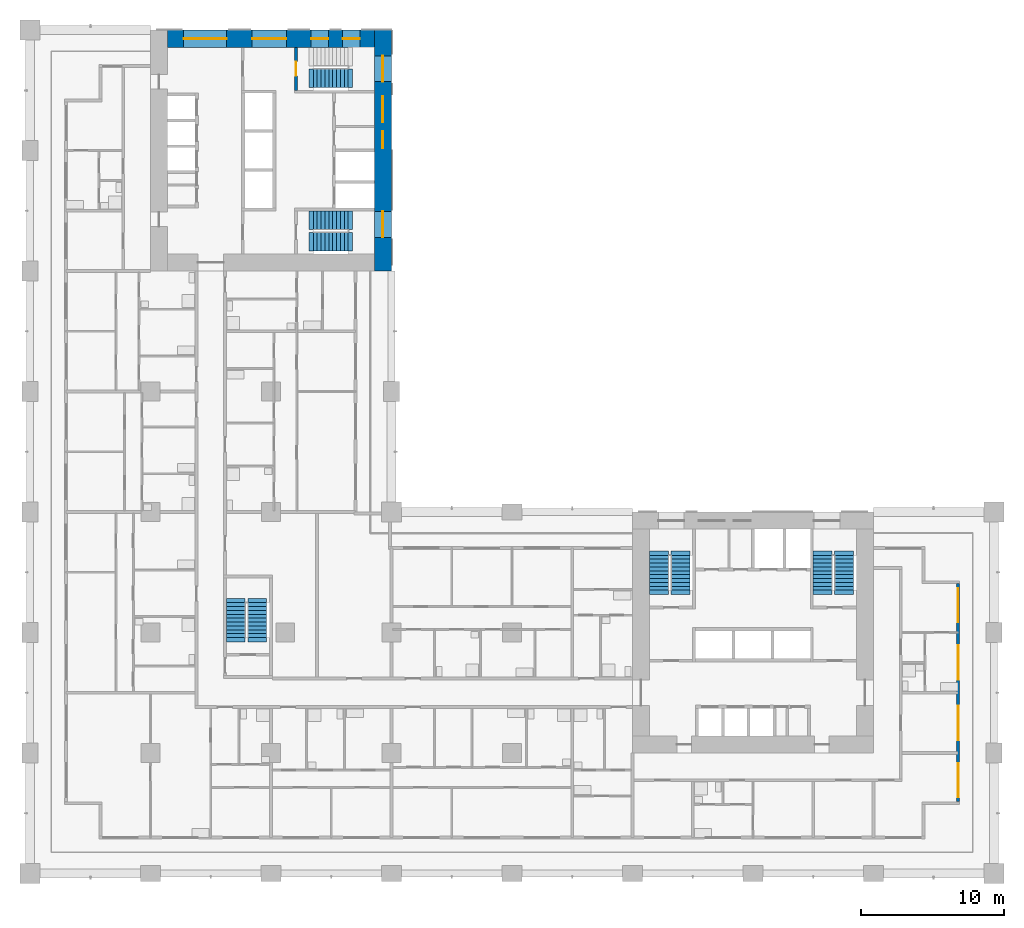
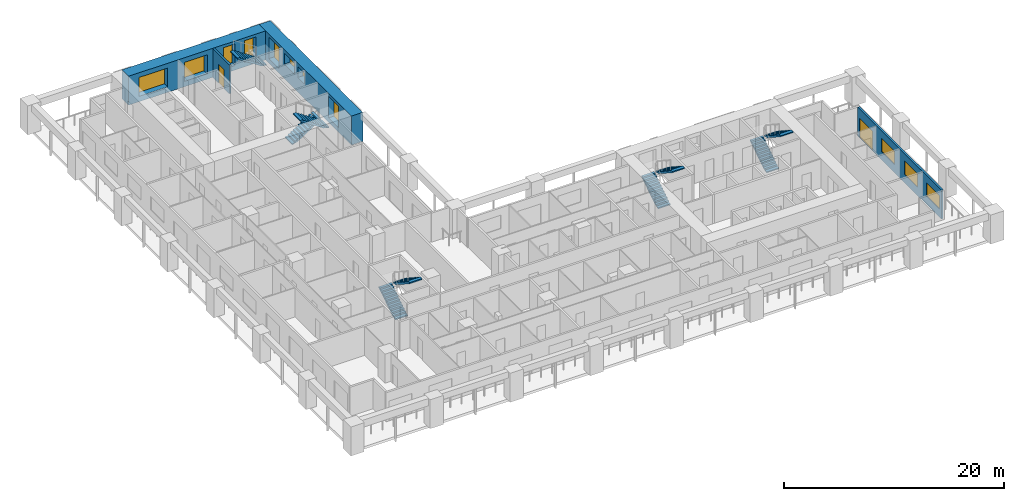
# One storey, part 10 of 19: 11 windows, 9 stair flights, 4 walls, 2 doors, 13 openings, 5 elements without a shape of their own.
"""IFC4 building model written with IfcOpenShell, lengths in metres."""

from ifc_helpers import new_model, si_unit, direction, frame, frame_2d, origin, place, context, subcontext, project, spatial, polyline, rectangle, outline, extrude, material, layer, layer_set, type_object, element, fill, aggregate, save


model = new_model("IFC4")

# Units and contexts
model_context = context("Model", 3, precision=1e-05, world=origin(), true_north=direction((0.0, 1.0)))
body_context = subcontext(model_context, "Body", "Model", "MODEL_VIEW")
ifc_project = project(units=[si_unit("LENGTHUNIT", "METRE"), si_unit("AREAUNIT", "SQUARE_METRE"), si_unit("VOLUMEUNIT", "CUBIC_METRE"), si_unit("PLANEANGLEUNIT", "RADIAN"), si_unit("MASSUNIT", "GRAM", prefix="KILO")], contexts=[model_context])

# Site, building, storey
site_placement = place(None, origin())
site = spatial("IfcSite", under=ifc_project, at=site_placement, CompositionType="ELEMENT")
building_placement = place(site_placement, origin())
building = spatial("IfcBuilding", under=site, at=building_placement, Name="Vermilion Gate Residences", CompositionType="ELEMENT")
storey_placement = place(building_placement, frame((0.0, 0.0, 53.199951171875)))
storey = spatial("IfcBuildingStorey", under=building, at=storey_placement, Name="L12", CompositionType="ELEMENT", Elevation=53.199951171875)

# Wall, openings, door, windows
ifc_material_1 = material(Name="Insulated steel stud wall with terracotta rainscreen", Category="masonry")
ifc_layer_1 = layer(ifc_material_1, 0.199951171875)
ifc_layer_set_1 = layer_set([ifc_layer_1], Name="EXTERNAL WALL 200 TERRACOTTA RAINSCREEN")
wall_type_1 = type_object("IfcWallType", Name="EXTERNAL WALL 200 TERRACOTTA RAINSCREEN", PredefinedType="SOLIDWALL", material=ifc_layer_set_1)
wall_1_placement = place(storey_placement, frame((64.699951171875, 5.0, 0.0), z_axis=(0.0, 0.0, 1.0), x_axis=(0.0, 1.0, 0.0)))
wall_1 = element("IfcWall", 1, at=wall_1_placement, inside=storey, type_object=wall_type_1, Name="External wall", PredefinedType="SOLIDWALL", context=body_context, shape_type="SweptSolid", body=[
    extrude(rectangle(XDim=15.199951171875, YDim=0.199951171875, at=frame_2d((7.60009765625, 0.0))), origin(), (0.0, 0.0, 1.0), 3.219970703125),
])
opening_1_placement = place(wall_1_placement, frame((0.300048828125, 0.0, 0.89990234375)))
opening_1 = element("IfcOpeningElement", 2, at=opening_1_placement, cuts=wall_1, Name="Opening WE12028", PredefinedType="OPENING", context=body_context, shape_type="SweptSolid", body=[
    extrude(rectangle(XDim=2.39990234375, YDim=1.5, at=frame_2d((1.199951171875, 0.75))), frame((0.0, 0.10986328125, 0.0), z_axis=(0.0, -1.0, 0.0), x_axis=(1.0, 0.0, 0.0)), (0.0, 0.0, 1.0), 0.219970703125),
])
opening_2_placement = place(wall_1_placement, frame((4.300048828125, 0.0, 0.89990234375)))
opening_2 = element("IfcOpeningElement", 3, at=opening_2_placement, cuts=wall_1, Name="Opening WE12029", PredefinedType="OPENING", context=body_context, shape_type="SweptSolid", body=[
    extrude(rectangle(XDim=2.39990234375, YDim=1.5, at=frame_2d((1.199951171875, 0.75))), frame((0.0, 0.10986328125, 0.0), z_axis=(0.0, -1.0, 0.0), x_axis=(1.0, 0.0, 0.0)), (0.0, 0.0, 1.0), 0.219970703125),
])
opening_3_placement = place(wall_1_placement, frame((8.5, 0.0, 0.89990234375)))
opening_3 = element("IfcOpeningElement", 4, at=opening_3_placement, cuts=wall_1, Name="Opening WE12030", PredefinedType="OPENING", context=body_context, shape_type="SweptSolid", body=[
    extrude(rectangle(XDim=2.39990234375, YDim=1.5, at=frame_2d((1.199951171875, 0.75))), frame((0.0, 0.10986328125, 0.0), z_axis=(0.0, -1.0, 0.0), x_axis=(1.0, 0.0, 0.0)), (0.0, 0.0, 1.0), 0.219970703125),
])
opening_4_placement = place(wall_1_placement, frame((12.5, 0.0, 0.0)))
opening_4 = element("IfcOpeningElement", 5, at=opening_4_placement, cuts=wall_1, Name="Opening DE12031", PredefinedType="OPENING", context=body_context, shape_type="SweptSolid", body=[
    extrude(rectangle(XDim=2.39990234375, YDim=2.199951171875, at=frame_2d((1.199951171875, 1.10009765625))), frame((0.0, 0.10986328125, 0.0), z_axis=(0.0, -1.0, 0.0), x_axis=(1.0, 0.0, 0.0)), (0.0, 0.0, 1.0), 0.219970703125),
])
ifc_material_2 = material(Name="Aluminium and clear glass", Category="aluminium")
door_type_1 = type_object("IfcDoorType", Name="SLIDING GLAZED DOOR 2400 X 2200", OperationType="DOUBLE_DOOR_SLIDING", PredefinedType="DOOR", material=ifc_material_2)
door_1_placement = place(opening_4_placement, origin())
door_1 = element("IfcDoor", 6, at=door_1_placement, inside=storey, type_object=door_type_1, Name="Loggia sliding door", OperationType="DOUBLE_DOOR_SLIDING", OverallHeight=2.199951171875, OverallWidth=2.39990234375, PredefinedType="DOOR", context=body_context, shape_type="SweptSolid", body=[
    extrude(rectangle(XDim=2.39990234375, YDim=2.199951171875, at=frame_2d((1.199951171875, 1.10009765625))), frame((0.0, 0.02490234375, 0.0), z_axis=(0.0, -1.0, 0.0), x_axis=(1.0, 0.0, 0.0)), (0.0, 0.0, 1.0), 0.050048828125),
])
fill(opening_4, door_1)
ifc_material_3 = material(Name="Aluminium and clear glass", Category="aluminium")
window_type_1 = type_object("IfcWindowType", Name="WINDOW 2400 X 1500", PartitioningType="SINGLE_PANEL", PredefinedType="WINDOW", material=ifc_material_3)
window_1_placement = place(opening_1_placement, origin())
window_1 = element("IfcWindow", 7, at=window_1_placement, inside=storey, type_object=window_type_1, Name="Window", OverallHeight=1.5, OverallWidth=2.39990234375, PartitioningType="SINGLE_PANEL", PredefinedType="WINDOW", context=body_context, shape_type="SweptSolid", body=[
    extrude(rectangle(XDim=2.39990234375, YDim=1.5, at=frame_2d((1.199951171875, 0.75))), frame((0.0, 0.030029296875, 0.0), z_axis=(0.0, -1.0, 0.0), x_axis=(1.0, 0.0, 0.0)), (0.0, 0.0, 1.0), 0.06005859375),
])
fill(opening_1, window_1)
window_2_placement = place(opening_2_placement, origin())
window_2 = element("IfcWindow", 8, at=window_2_placement, inside=storey, type_object=window_type_1, Name="Window", OverallHeight=1.5, OverallWidth=2.39990234375, PartitioningType="SINGLE_PANEL", PredefinedType="WINDOW", context=body_context, shape_type="SweptSolid", body=[
    extrude(rectangle(XDim=2.39990234375, YDim=1.5, at=frame_2d((1.199951171875, 0.75))), frame((0.0, 0.030029296875, 0.0), z_axis=(0.0, -1.0, 0.0), x_axis=(1.0, 0.0, 0.0)), (0.0, 0.0, 1.0), 0.06005859375),
])
fill(opening_2, window_2)
window_3_placement = place(opening_3_placement, origin())
window_3 = element("IfcWindow", 9, at=window_3_placement, inside=storey, type_object=window_type_1, Name="Window", OverallHeight=1.5, OverallWidth=2.39990234375, PartitioningType="SINGLE_PANEL", PredefinedType="WINDOW", context=body_context, shape_type="SweptSolid", body=[
    extrude(rectangle(XDim=2.39990234375, YDim=1.5, at=frame_2d((1.199951171875, 0.75))), frame((0.0, 0.030029296875, 0.0), z_axis=(0.0, -1.0, 0.0), x_axis=(1.0, 0.0, 0.0)), (0.0, 0.0, 1.0), 0.06005859375),
])
fill(opening_3, window_3)

# Wall, opening, door
ifc_material_4 = material(Name="Concrete C60", Category="concrete")
ifc_layer_2 = layer(ifc_material_4, 0.199951171875)
ifc_layer_set_2 = layer_set([ifc_layer_2], Name="RC CORE INTERNAL WALL 200 C60")
wall_type_2 = type_object("IfcWallType", Name="RC CORE INTERNAL WALL 200 C60", PredefinedType="SHEAR", material=ifc_layer_set_2)
wall_2_placement = place(storey_placement, frame((18.550048828125, 57.60009765625, 0.0), z_axis=(0.0, 0.0, 1.0), x_axis=(0.0, -1.0, 0.0)))
wall_2 = element("IfcWall", 10, at=wall_2_placement, inside=storey, type_object=wall_type_2, Name="Core internal wall B12-STW-S", PredefinedType="SHEAR", context=body_context, shape_type="SweptSolid", body=[
    extrude(rectangle(XDim=3.0, YDim=0.199951171875, at=frame_2d((1.5, 0.0))), origin(), (0.0, 0.0, 1.0), 3.219970703125),
])
opening_5_placement = place(wall_2_placement, frame((1.0, 0.0, 0.0)))
opening_5 = element("IfcOpeningElement", 11, at=opening_5_placement, cuts=wall_2, Name="Opening DK12114", PredefinedType="OPENING", context=body_context, shape_type="SweptSolid", body=[
    extrude(rectangle(XDim=1.0, YDim=2.10009765625, at=frame_2d((0.5, 1.050048828125))), frame((0.0, 0.10986328125, 0.0), z_axis=(0.0, -1.0, 0.0), x_axis=(1.0, 0.0, 0.0)), (0.0, 0.0, 1.0), 0.219970703125),
])
ifc_material_5 = material(Name="Steel", Category="steel")
door_type_2 = type_object("IfcDoorType", Name="FIRE DOOR FD60 1000 X 2100", OperationType="SINGLE_SWING_LEFT", PredefinedType="DOOR", material=ifc_material_5)
door_2_placement = place(opening_5_placement, origin())
door_2 = element("IfcDoor", 12, at=door_2_placement, inside=storey, type_object=door_type_2, Name="Stair door B12", OperationType="SINGLE_SWING_LEFT", OverallHeight=2.10009765625, OverallWidth=1.0, PredefinedType="DOOR", context=body_context, shape_type="SweptSolid", body=[
    extrude(rectangle(XDim=1.0, YDim=2.10009765625, at=frame_2d((0.5, 1.050048828125))), frame((0.0, 0.02490234375, 0.0), z_axis=(0.0, -1.0, 0.0), x_axis=(1.0, 0.0, 0.0)), (0.0, 0.0, 1.0), 0.050048828125),
])
fill(opening_5, door_2)

# Wall, openings, windows
ifc_material_6 = material(Name="Concrete C80 red-oxide pigmented", Category="concrete")
ifc_layer_3 = layer(ifc_material_6, 1.199951171875)
ifc_layer_set_3 = layer_set([ifc_layer_3], Name="RC CORE WALL 1200 C80 RED OXIDE")
wall_type_3 = type_object("IfcWallType", Name="RC CORE WALL 1200 C80 RED OXIDE", PredefinedType="SHEAR", material=ifc_layer_set_3)
wall_3_placement = place(storey_placement, frame((24.60009765625, 58.800048828125, 0.0), z_axis=(0.0, 0.0, 1.0), x_axis=(0.0, -1.0, 0.0)))
wall_3 = element("IfcWall", 13, at=wall_3_placement, inside=storey, type_object=wall_type_3, Name="Core wall B12-OUT-B1", PredefinedType="SHEAR", context=body_context, shape_type="SweptSolid", body=[
    extrude(rectangle(XDim=16.800048828125, YDim=1.199951171875, at=frame_2d((8.39990234375, 0.0))), origin(), (0.0, 0.0, 1.0), 3.219970703125),
])
opening_6_placement = place(wall_3_placement, frame((1.800048828125, 0.0, 0.5)))
opening_6 = element("IfcOpeningElement", 14, at=opening_6_placement, cuts=wall_3, Name="Opening WKB1201", PredefinedType="OPENING", context=body_context, shape_type="SweptSolid", body=[
    extrude(rectangle(XDim=1.800048828125, YDim=2.39990234375, at=frame_2d((0.89990234375, 1.199951171875))), frame((0.0, 0.60986328125, 0.0), z_axis=(0.0, -1.0, 0.0), x_axis=(1.0, 0.0, 0.0)), (0.0, 0.0, 1.0), 1.219970703125),
])
opening_7_placement = place(wall_3_placement, frame((4.625, 0.0, 1.60009765625)))
opening_7 = element("IfcOpeningElement", 15, at=opening_7_placement, cuts=wall_3, Name="Opening WKB1202", PredefinedType="OPENING", context=body_context, shape_type="SweptSolid", body=[
    extrude(rectangle(XDim=1.800048828125, YDim=1.199951171875, at=frame_2d((0.89990234375, 0.60009765625))), frame((0.0, 0.60986328125, 0.0), z_axis=(0.0, -1.0, 0.0), x_axis=(1.0, 0.0, 0.0)), (0.0, 0.0, 1.0), 1.219970703125),
])
opening_8_placement = place(wall_3_placement, frame((7.050048828125, 0.0, 1.60009765625)))
opening_8 = element("IfcOpeningElement", 16, at=opening_8_placement, cuts=wall_3, Name="Opening WKB1203", PredefinedType="OPENING", context=body_context, shape_type="SweptSolid", body=[
    extrude(rectangle(XDim=1.199951171875, YDim=1.199951171875, at=frame_2d((0.60009765625, 0.60009765625))), frame((0.0, 0.60986328125, 0.0), z_axis=(0.0, -1.0, 0.0), x_axis=(1.0, 0.0, 0.0)), (0.0, 0.0, 1.0), 1.219970703125),
])
opening_9_placement = place(wall_3_placement, frame((12.64990234375, 0.0, 0.5)))
opening_9 = element("IfcOpeningElement", 17, at=opening_9_placement, cuts=wall_3, Name="Opening WKB1204", PredefinedType="OPENING", context=body_context, shape_type="SweptSolid", body=[
    extrude(rectangle(XDim=1.800048828125, YDim=2.39990234375, at=frame_2d((0.89990234375, 1.199951171875))), frame((0.0, 0.60986328125, 0.0), z_axis=(0.0, -1.0, 0.0), x_axis=(1.0, 0.0, 0.0)), (0.0, 0.0, 1.0), 1.219970703125),
])
ifc_material_7 = material(Name="Aluminium frame with louvre blades", Category="aluminium")
window_type_2 = type_object("IfcWindowType", Name="CORE LOUVRE 1200 X 1200", PartitioningType="SINGLE_PANEL", PredefinedType="WINDOW", material=ifc_material_7)
window_4_placement = place(opening_8_placement, origin())
window_4 = element("IfcWindow", 18, at=window_4_placement, inside=storey, type_object=window_type_2, Name="Core louvre", OverallHeight=1.199951171875, OverallWidth=1.199951171875, PartitioningType="SINGLE_PANEL", PredefinedType="WINDOW", context=body_context, shape_type="SweptSolid", body=[
    extrude(rectangle(XDim=1.199951171875, YDim=1.199951171875, at=frame_2d((0.60009765625, 0.60009765625))), frame((0.0, 0.030029296875, 0.0), z_axis=(0.0, -1.0, 0.0), x_axis=(1.0, 0.0, 0.0)), (0.0, 0.0, 1.0), 0.06005859375),
])
fill(opening_8, window_4)
ifc_material_8 = material(Name="Aluminium frame with louvre blades", Category="aluminium")
window_type_3 = type_object("IfcWindowType", Name="CORE LOUVRE 1800 X 1200", PartitioningType="SINGLE_PANEL", PredefinedType="WINDOW", material=ifc_material_8)
window_5_placement = place(opening_7_placement, origin())
window_5 = element("IfcWindow", 19, at=window_5_placement, inside=storey, type_object=window_type_3, Name="Core louvre", OverallHeight=1.199951171875, OverallWidth=1.800048828125, PartitioningType="SINGLE_PANEL", PredefinedType="WINDOW", context=body_context, shape_type="SweptSolid", body=[
    extrude(rectangle(XDim=1.800048828125, YDim=1.199951171875, at=frame_2d((0.89990234375, 0.60009765625))), frame((0.0, 0.030029296875, 0.0), z_axis=(0.0, -1.0, 0.0), x_axis=(1.0, 0.0, 0.0)), (0.0, 0.0, 1.0), 0.06005859375),
])
fill(opening_7, window_5)
ifc_material_9 = material(Name="Aluminium and clear glass", Category="aluminium")
window_type_4 = type_object("IfcWindowType", Name="CORE STAIR WINDOW 1800 X 2400", PartitioningType="SINGLE_PANEL", PredefinedType="WINDOW", material=ifc_material_9)
window_6_placement = place(opening_6_placement, origin())
window_6 = element("IfcWindow", 20, at=window_6_placement, inside=storey, type_object=window_type_4, Name="Core stair window", OverallHeight=2.39990234375, OverallWidth=1.800048828125, PartitioningType="SINGLE_PANEL", PredefinedType="WINDOW", context=body_context, shape_type="SweptSolid", body=[
    extrude(rectangle(XDim=1.800048828125, YDim=2.39990234375, at=frame_2d((0.89990234375, 1.199951171875))), frame((0.0, 0.030029296875, 0.0), z_axis=(0.0, -1.0, 0.0), x_axis=(1.0, 0.0, 0.0)), (0.0, 0.0, 1.0), 0.06005859375),
])
fill(opening_6, window_6)
window_7_placement = place(opening_9_placement, origin())
window_7 = element("IfcWindow", 21, at=window_7_placement, inside=storey, type_object=window_type_4, Name="Core stair window", OverallHeight=2.39990234375, OverallWidth=1.800048828125, PartitioningType="SINGLE_PANEL", PredefinedType="WINDOW", context=body_context, shape_type="SweptSolid", body=[
    extrude(rectangle(XDim=1.800048828125, YDim=2.39990234375, at=frame_2d((0.89990234375, 1.199951171875))), frame((0.0, 0.030029296875, 0.0), z_axis=(0.0, -1.0, 0.0), x_axis=(1.0, 0.0, 0.0)), (0.0, 0.0, 1.0), 0.06005859375),
])
fill(opening_9, window_7)

wall_4_placement = place(storey_placement, frame((9.60009765625, 58.199951171875, 0.0), z_axis=(0.0, 0.0, 1.0), x_axis=(1.0, 0.0, 0.0)))
wall_4 = element("IfcWall", 22, at=wall_4_placement, inside=storey, type_object=wall_type_3, Name="Core wall B12-OUT-FR", PredefinedType="SHEAR", context=body_context, shape_type="SweptSolid", body=[
    extrude(rectangle(XDim=14.39990234375, YDim=1.199951171875, at=frame_2d((7.199951171875, 0.0))), origin(), (0.0, 0.0, 1.0), 3.219970703125),
])
opening_10_placement = place(wall_4_placement, frame((1.10498046875, 0.0, 0.60009765625)))
opening_10 = element("IfcOpeningElement", 23, at=opening_10_placement, cuts=wall_4, Name="Opening WKB1205", PredefinedType="OPENING", context=body_context, shape_type="SweptSolid", body=[
    extrude(rectangle(XDim=3.0, YDim=2.10009765625, at=frame_2d((1.5, 1.050048828125))), frame((0.0, 0.60986328125, 0.0), z_axis=(0.0, -1.0, 0.0), x_axis=(1.0, 0.0, 0.0)), (0.0, 0.0, 1.0), 1.219970703125),
])
opening_11_placement = place(wall_4_placement, frame((5.875, 0.0, 0.60009765625)))
opening_11 = element("IfcOpeningElement", 24, at=opening_11_placement, cuts=wall_4, Name="Opening WKB1206", PredefinedType="OPENING", context=body_context, shape_type="SweptSolid", body=[
    extrude(rectangle(XDim=2.39990234375, YDim=2.10009765625, at=frame_2d((1.199951171875, 1.050048828125))), frame((0.0, 0.60986328125, 0.0), z_axis=(0.0, -1.0, 0.0), x_axis=(1.0, 0.0, 0.0)), (0.0, 0.0, 1.0), 1.219970703125),
])
opening_12_placement = place(wall_4_placement, frame((9.993408203125, 0.0, 0.5)))
opening_12 = element("IfcOpeningElement", 25, at=opening_12_placement, cuts=wall_4, Name="Opening WKB1207", PredefinedType="OPENING", context=body_context, shape_type="SweptSolid", body=[
    extrude(rectangle(XDim=1.199951171875, YDim=2.39990234375, at=frame_2d((0.60009765625, 1.199951171875))), frame((0.0, 0.60986328125, 0.0), z_axis=(0.0, -1.0, 0.0), x_axis=(1.0, 0.0, 0.0)), (0.0, 0.0, 1.0), 1.219970703125),
])
opening_13_placement = place(wall_4_placement, frame((12.19677734375, 0.0, 0.5)))
opening_13 = element("IfcOpeningElement", 26, at=opening_13_placement, cuts=wall_4, Name="Opening WKB1208", PredefinedType="OPENING", context=body_context, shape_type="SweptSolid", body=[
    extrude(rectangle(XDim=1.199951171875, YDim=2.39990234375, at=frame_2d((0.60009765625, 1.199951171875))), frame((0.0, 0.60986328125, 0.0), z_axis=(0.0, -1.0, 0.0), x_axis=(1.0, 0.0, 0.0)), (0.0, 0.0, 1.0), 1.219970703125),
])
ifc_material_10 = material(Name="Aluminium and clear glass", Category="aluminium")
window_type_5 = type_object("IfcWindowType", Name="CORE LOBBY WINDOW 2400 X 2100", PartitioningType="SINGLE_PANEL", PredefinedType="WINDOW", material=ifc_material_10)
window_8_placement = place(opening_11_placement, origin())
window_8 = element("IfcWindow", 27, at=window_8_placement, inside=storey, type_object=window_type_5, Name="Core lobby window", OverallHeight=2.10009765625, OverallWidth=2.39990234375, PartitioningType="SINGLE_PANEL", PredefinedType="WINDOW", context=body_context, shape_type="SweptSolid", body=[
    extrude(rectangle(XDim=2.39990234375, YDim=2.10009765625, at=frame_2d((1.199951171875, 1.050048828125))), frame((0.0, 0.030029296875, 0.0), z_axis=(0.0, -1.0, 0.0), x_axis=(1.0, 0.0, 0.0)), (0.0, 0.0, 1.0), 0.06005859375),
])
fill(opening_11, window_8)
ifc_material_11 = material(Name="Aluminium and clear glass", Category="aluminium")
window_type_6 = type_object("IfcWindowType", Name="CORE LOBBY WINDOW 3000 X 2100", PartitioningType="SINGLE_PANEL", PredefinedType="WINDOW", material=ifc_material_11)
window_9_placement = place(opening_10_placement, origin())
window_9 = element("IfcWindow", 28, at=window_9_placement, inside=storey, type_object=window_type_6, Name="Core lobby window", OverallHeight=2.10009765625, OverallWidth=3.0, PartitioningType="SINGLE_PANEL", PredefinedType="WINDOW", context=body_context, shape_type="SweptSolid", body=[
    extrude(rectangle(XDim=3.0, YDim=2.10009765625, at=frame_2d((1.5, 1.050048828125))), frame((0.0, 0.030029296875, 0.0), z_axis=(0.0, -1.0, 0.0), x_axis=(1.0, 0.0, 0.0)), (0.0, 0.0, 1.0), 0.06005859375),
])
fill(opening_10, window_9)
ifc_material_12 = material(Name="Aluminium and clear glass", Category="aluminium")
window_type_7 = type_object("IfcWindowType", Name="CORE STAIR WINDOW 1200 X 2400", PartitioningType="SINGLE_PANEL", PredefinedType="WINDOW", material=ifc_material_12)
window_10_placement = place(opening_12_placement, origin())
window_10 = element("IfcWindow", 29, at=window_10_placement, inside=storey, type_object=window_type_7, Name="Core stair window", OverallHeight=2.39990234375, OverallWidth=1.199951171875, PartitioningType="SINGLE_PANEL", PredefinedType="WINDOW", context=body_context, shape_type="SweptSolid", body=[
    extrude(rectangle(XDim=1.199951171875, YDim=2.39990234375, at=frame_2d((0.60009765625, 1.199951171875))), frame((0.0, 0.030029296875, 0.0), z_axis=(0.0, -1.0, 0.0), x_axis=(1.0, 0.0, 0.0)), (0.0, 0.0, 1.0), 0.06005859375),
])
fill(opening_12, window_10)
window_11_placement = place(opening_13_placement, origin())
window_11 = element("IfcWindow", 30, at=window_11_placement, inside=storey, type_object=window_type_7, Name="Core stair window", OverallHeight=2.39990234375, OverallWidth=1.199951171875, PartitioningType="SINGLE_PANEL", PredefinedType="WINDOW", context=body_context, shape_type="SweptSolid", body=[
    extrude(rectangle(XDim=1.199951171875, YDim=2.39990234375, at=frame_2d((0.60009765625, 1.199951171875))), frame((0.0, 0.030029296875, 0.0), z_axis=(0.0, -1.0, 0.0), x_axis=(1.0, 0.0, 0.0)), (0.0, 0.0, 1.0), 0.06005859375),
])
fill(opening_13, window_11)

# Stair, stair flights
ifc_material_13 = material(Name="Concrete C50", Category="concrete")
stair_type = type_object("IfcStairType", Name="SPECIAL ESCAPE STAIR 1300", PredefinedType="HALF_TURN_STAIR", material=ifc_material_13)
stair_1_placement = place(storey_placement, origin())
stair_1 = element("IfcStair", 31, at=stair_1_placement, inside=storey, type_object=stair_type, Name="Special escape stair STA1-12", PredefinedType="HALF_TURN_STAIR")
ifc_material_14 = material(Name="Concrete C50", Category="concrete")
stair_flight_type = type_object("IfcStairFlightType", Name="STAIR FLIGHT 1300 RC C50", PredefinedType="STRAIGHT", material=ifc_material_14)
stair_flight_1_placement = place(storey_placement, frame((43.85009765625, 19.75, 0.0), z_axis=(0.0, 0.0, 1.0), x_axis=(0.0, 1.0, 0.0)))
stair_flight_1 = element("IfcStairFlight", 32, at=stair_flight_1_placement, type_object=stair_flight_type, Name="STA1-12 flight 1", NumberOfRisers=10, NumberOfTreads=9, PredefinedType="STRAIGHT", RiserHeight=0.175, TreadLength=0.27, context=body_context, shape_type="SweptSolid", body=[
    extrude(outline(polyline([(-0.300048828125, -0.14990234375), (-0.300048828125, -0.030029296875), (0.0, 0.0), (0.0, 0.175048828125), (0.27001953125, 0.175048828125), (0.27001953125, 0.35009765625), (0.5400390625, 0.35009765625), (0.5400390625, 0.52490234375), (0.81005859375, 0.52490234375), (0.81005859375, 0.699951171875), (1.080078125, 0.699951171875), (1.080078125, 0.875), (1.35009765625, 0.875), (1.35009765625, 1.050048828125), (1.6201171875, 1.050048828125), (1.6201171875, 1.22509765625), (1.889892578125, 1.22509765625), (1.889892578125, 1.39990234375), (2.159912109375, 1.39990234375), (2.159912109375, 1.574951171875), (2.429931640625, 1.574951171875), (2.429931640625, 1.75), (2.72998046875, 1.719970703125), (2.72998046875, 1.60009765625), (2.429931640625, 1.396484375), (0.275634765625, 0.0), (-0.300048828125, -0.14990234375)])), frame((0.0, 0.64990234375, 0.0), z_axis=(0.0, -1.0, 0.0), x_axis=(1.0, 0.0, 0.0)), (0.0, 0.0, 1.0), 1.300048828125),
])
stair_flight_2_placement = place(storey_placement, frame((45.35009765625, 22.179931640625, 1.75), z_axis=(0.0, 0.0, 1.0), x_axis=(0.0, -1.0, 0.0)))
stair_flight_2 = element("IfcStairFlight", 33, at=stair_flight_2_placement, type_object=stair_flight_type, Name="STA1-12 flight 2", NumberOfRisers=10, NumberOfTreads=9, PredefinedType="STRAIGHT", RiserHeight=0.175, TreadLength=0.27, context=body_context, shape_type="SweptSolid", body=[
    extrude(outline(polyline([(-0.300048828125, -0.14990234375), (-0.300048828125, -0.030029296875), (0.0, 0.0), (0.0, 0.175048828125), (0.27001953125, 0.175048828125), (0.27001953125, 0.35009765625), (0.5400390625, 0.35009765625), (0.5400390625, 0.52490234375), (0.81005859375, 0.52490234375), (0.81005859375, 0.699951171875), (1.080078125, 0.699951171875), (1.080078125, 0.875), (1.35009765625, 0.875), (1.35009765625, 1.050048828125), (1.6201171875, 1.050048828125), (1.6201171875, 1.22509765625), (1.889892578125, 1.22509765625), (1.889892578125, 1.39990234375), (2.159912109375, 1.39990234375), (2.159912109375, 1.574951171875), (2.429931640625, 1.574951171875), (2.429931640625, 1.75), (2.72998046875, 1.719970703125), (2.72998046875, 1.60009765625), (2.429931640625, 1.396484375), (0.275634765625, 0.0), (-0.300048828125, -0.14990234375)])), frame((0.0, 0.64990234375, 0.0), z_axis=(0.0, -1.0, 0.0), x_axis=(1.0, 0.0, 0.0)), (0.0, 0.0, 1.0), 1.300048828125),
])
aggregate(stair_1, [stair_flight_1, stair_flight_2])

stair_2_placement = place(storey_placement, origin())
stair_2 = element("IfcStair", 34, at=stair_2_placement, inside=storey, type_object=stair_type, Name="Special escape stair STA2-12", PredefinedType="HALF_TURN_STAIR")
stair_flight_3_placement = place(storey_placement, frame((55.25, 19.75, 0.0), z_axis=(0.0, 0.0, 1.0), x_axis=(0.0, 1.0, 0.0)))
stair_flight_3 = element("IfcStairFlight", 35, at=stair_flight_3_placement, type_object=stair_flight_type, Name="STA2-12 flight 1", NumberOfRisers=10, NumberOfTreads=9, PredefinedType="STRAIGHT", RiserHeight=0.175, TreadLength=0.27, context=body_context, shape_type="SweptSolid", body=[
    extrude(outline(polyline([(-0.300048828125, -0.14990234375), (-0.300048828125, -0.030029296875), (0.0, 0.0), (0.0, 0.175048828125), (0.27001953125, 0.175048828125), (0.27001953125, 0.35009765625), (0.5400390625, 0.35009765625), (0.5400390625, 0.52490234375), (0.81005859375, 0.52490234375), (0.81005859375, 0.699951171875), (1.080078125, 0.699951171875), (1.080078125, 0.875), (1.35009765625, 0.875), (1.35009765625, 1.050048828125), (1.6201171875, 1.050048828125), (1.6201171875, 1.22509765625), (1.889892578125, 1.22509765625), (1.889892578125, 1.39990234375), (2.159912109375, 1.39990234375), (2.159912109375, 1.574951171875), (2.429931640625, 1.574951171875), (2.429931640625, 1.75), (2.72998046875, 1.719970703125), (2.72998046875, 1.60009765625), (2.429931640625, 1.396484375), (0.275634765625, 0.0), (-0.300048828125, -0.14990234375)])), frame((0.0, 0.64990234375, 0.0), z_axis=(0.0, -1.0, 0.0), x_axis=(1.0, 0.0, 0.0)), (0.0, 0.0, 1.0), 1.300048828125),
])
stair_flight_4_placement = place(storey_placement, frame((56.75, 22.179931640625, 1.75), z_axis=(0.0, 0.0, 1.0), x_axis=(0.0, -1.0, 0.0)))
stair_flight_4 = element("IfcStairFlight", 36, at=stair_flight_4_placement, type_object=stair_flight_type, Name="STA2-12 flight 2", NumberOfRisers=10, NumberOfTreads=9, PredefinedType="STRAIGHT", RiserHeight=0.175, TreadLength=0.27, context=body_context, shape_type="SweptSolid", body=[
    extrude(outline(polyline([(-0.300048828125, -0.14990234375), (-0.300048828125, -0.030029296875), (0.0, 0.0), (0.0, 0.175048828125), (0.27001953125, 0.175048828125), (0.27001953125, 0.35009765625), (0.5400390625, 0.35009765625), (0.5400390625, 0.52490234375), (0.81005859375, 0.52490234375), (0.81005859375, 0.699951171875), (1.080078125, 0.699951171875), (1.080078125, 0.875), (1.35009765625, 0.875), (1.35009765625, 1.050048828125), (1.6201171875, 1.050048828125), (1.6201171875, 1.22509765625), (1.889892578125, 1.22509765625), (1.889892578125, 1.39990234375), (2.159912109375, 1.39990234375), (2.159912109375, 1.574951171875), (2.429931640625, 1.574951171875), (2.429931640625, 1.75), (2.72998046875, 1.719970703125), (2.72998046875, 1.60009765625), (2.429931640625, 1.396484375), (0.275634765625, 0.0), (-0.300048828125, -0.14990234375)])), frame((0.0, 0.64990234375, 0.0), z_axis=(0.0, -1.0, 0.0), x_axis=(1.0, 0.0, 0.0)), (0.0, 0.0, 1.0), 1.300048828125),
])
aggregate(stair_2, [stair_flight_3, stair_flight_4])

# Stair, stair flight
stair_3_placement = place(storey_placement, origin())
stair_3 = element("IfcStair", 37, at=stair_3_placement, inside=storey, type_object=stair_type, Name="Special escape stair STB1-12", PredefinedType="HALF_TURN_STAIR")
stair_flight_5_placement = place(storey_placement, frame((22.179931640625, 55.449951171875, 1.75), z_axis=(0.0, 0.0, 1.0), x_axis=(-1.0, 0.0, 0.0)))
stair_flight_5 = element("IfcStairFlight", 38, at=stair_flight_5_placement, type_object=stair_flight_type, Name="STB1-12 flight 2", NumberOfRisers=10, NumberOfTreads=9, PredefinedType="STRAIGHT", RiserHeight=0.175, TreadLength=0.27, context=body_context, shape_type="SweptSolid", body=[
    extrude(outline(polyline([(-0.300048828125, -0.14990234375), (-0.300048828125, -0.030029296875), (0.0, 0.0), (0.0, 0.175048828125), (0.27001953125, 0.175048828125), (0.27001953125, 0.35009765625), (0.5400390625, 0.35009765625), (0.5400390625, 0.52490234375), (0.81005859375, 0.52490234375), (0.81005859375, 0.699951171875), (1.080078125, 0.699951171875), (1.080078125, 0.875), (1.35009765625, 0.875), (1.35009765625, 1.050048828125), (1.6201171875, 1.050048828125), (1.6201171875, 1.22509765625), (1.889892578125, 1.22509765625), (1.889892578125, 1.39990234375), (2.159912109375, 1.39990234375), (2.159912109375, 1.574951171875), (2.429931640625, 1.574951171875), (2.429931640625, 1.75), (2.72998046875, 1.719970703125), (2.72998046875, 1.60009765625), (2.429931640625, 1.396484375), (0.275634765625, 0.0), (-0.300048828125, -0.14990234375)])), frame((0.0, 0.64990234375, 0.0), z_axis=(0.0, -1.0, 0.0), x_axis=(1.0, 0.0, 0.0)), (0.0, 0.0, 1.0), 1.300048828125),
])
aggregate(stair_3, [stair_flight_5])

# Stair, stair flights
stair_4_placement = place(storey_placement, origin())
stair_4 = element("IfcStair", 39, at=stair_4_placement, inside=storey, type_object=stair_type, Name="Special escape stair STB2-12", PredefinedType="HALF_TURN_STAIR")
stair_flight_6_placement = place(storey_placement, frame((19.75, 45.550048828125, 0.0), z_axis=(0.0, 0.0, 1.0), x_axis=(1.0, 0.0, 0.0)))
stair_flight_6 = element("IfcStairFlight", 40, at=stair_flight_6_placement, type_object=stair_flight_type, Name="STB2-12 flight 1", NumberOfRisers=10, NumberOfTreads=9, PredefinedType="STRAIGHT", RiserHeight=0.175, TreadLength=0.27, context=body_context, shape_type="SweptSolid", body=[
    extrude(outline(polyline([(-0.300048828125, -0.14990234375), (-0.300048828125, -0.030029296875), (0.0, 0.0), (0.0, 0.175048828125), (0.27001953125, 0.175048828125), (0.27001953125, 0.35009765625), (0.5400390625, 0.35009765625), (0.5400390625, 0.52490234375), (0.81005859375, 0.52490234375), (0.81005859375, 0.699951171875), (1.080078125, 0.699951171875), (1.080078125, 0.875), (1.35009765625, 0.875), (1.35009765625, 1.050048828125), (1.6201171875, 1.050048828125), (1.6201171875, 1.22509765625), (1.889892578125, 1.22509765625), (1.889892578125, 1.39990234375), (2.159912109375, 1.39990234375), (2.159912109375, 1.574951171875), (2.429931640625, 1.574951171875), (2.429931640625, 1.75), (2.72998046875, 1.719970703125), (2.72998046875, 1.60009765625), (2.429931640625, 1.396484375), (0.275634765625, 0.0), (-0.300048828125, -0.14990234375)])), frame((0.0, 0.64990234375, 0.0), z_axis=(0.0, -1.0, 0.0), x_axis=(1.0, 0.0, 0.0)), (0.0, 0.0, 1.0), 1.300048828125),
])
stair_flight_7_placement = place(storey_placement, frame((22.179931640625, 44.050048828125, 1.75), z_axis=(0.0, 0.0, 1.0), x_axis=(-1.0, 0.0, 0.0)))
stair_flight_7 = element("IfcStairFlight", 41, at=stair_flight_7_placement, type_object=stair_flight_type, Name="STB2-12 flight 2", NumberOfRisers=10, NumberOfTreads=9, PredefinedType="STRAIGHT", RiserHeight=0.175, TreadLength=0.27, context=body_context, shape_type="SweptSolid", body=[
    extrude(outline(polyline([(-0.300048828125, -0.14990234375), (-0.300048828125, -0.030029296875), (0.0, 0.0), (0.0, 0.175048828125), (0.27001953125, 0.175048828125), (0.27001953125, 0.35009765625), (0.5400390625, 0.35009765625), (0.5400390625, 0.52490234375), (0.81005859375, 0.52490234375), (0.81005859375, 0.699951171875), (1.080078125, 0.699951171875), (1.080078125, 0.875), (1.35009765625, 0.875), (1.35009765625, 1.050048828125), (1.6201171875, 1.050048828125), (1.6201171875, 1.22509765625), (1.889892578125, 1.22509765625), (1.889892578125, 1.39990234375), (2.159912109375, 1.39990234375), (2.159912109375, 1.574951171875), (2.429931640625, 1.574951171875), (2.429931640625, 1.75), (2.72998046875, 1.719970703125), (2.72998046875, 1.60009765625), (2.429931640625, 1.396484375), (0.275634765625, 0.0), (-0.300048828125, -0.14990234375)])), frame((0.0, 0.64990234375, 0.0), z_axis=(0.0, -1.0, 0.0), x_axis=(1.0, 0.0, 0.0)), (0.0, 0.0, 1.0), 1.300048828125),
])
aggregate(stair_4, [stair_flight_6, stair_flight_7])

stair_5_placement = place(storey_placement, origin())
stair_5 = element("IfcStair", 42, at=stair_5_placement, inside=storey, type_object=stair_type, Name="Special escape stair STC1-12", PredefinedType="HALF_TURN_STAIR")
stair_flight_8_placement = place(storey_placement, frame((14.35009765625, 16.449951171875, 0.0), z_axis=(0.0, 0.0, 1.0), x_axis=(0.0, 1.0, 0.0)))
stair_flight_8 = element("IfcStairFlight", 43, at=stair_flight_8_placement, type_object=stair_flight_type, Name="STC1-12 flight 1", NumberOfRisers=10, NumberOfTreads=9, PredefinedType="STRAIGHT", RiserHeight=0.175, TreadLength=0.27, context=body_context, shape_type="SweptSolid", body=[
    extrude(outline(polyline([(-0.300048828125, -0.14990234375), (-0.300048828125, -0.030029296875), (0.0, 0.0), (0.0, 0.175048828125), (0.27001953125, 0.175048828125), (0.27001953125, 0.35009765625), (0.5400390625, 0.35009765625), (0.5400390625, 0.52490234375), (0.81005859375, 0.52490234375), (0.81005859375, 0.699951171875), (1.080078125, 0.699951171875), (1.080078125, 0.875), (1.35009765625, 0.875), (1.35009765625, 1.050048828125), (1.6201171875, 1.050048828125), (1.6201171875, 1.22509765625), (1.889892578125, 1.22509765625), (1.889892578125, 1.39990234375), (2.159912109375, 1.39990234375), (2.159912109375, 1.574951171875), (2.429931640625, 1.574951171875), (2.429931640625, 1.75), (2.72998046875, 1.719970703125), (2.72998046875, 1.60009765625), (2.429931640625, 1.396484375), (0.275634765625, 0.0), (-0.300048828125, -0.14990234375)])), frame((0.0, 0.64990234375, 0.0), z_axis=(0.0, -1.0, 0.0), x_axis=(1.0, 0.0, 0.0)), (0.0, 0.0, 1.0), 1.300048828125),
])
stair_flight_9_placement = place(storey_placement, frame((15.85009765625, 18.8798828125, 1.75), z_axis=(0.0, 0.0, 1.0), x_axis=(0.0, -1.0, 0.0)))
stair_flight_9 = element("IfcStairFlight", 44, at=stair_flight_9_placement, type_object=stair_flight_type, Name="STC1-12 flight 2", NumberOfRisers=10, NumberOfTreads=9, PredefinedType="STRAIGHT", RiserHeight=0.175, TreadLength=0.27, context=body_context, shape_type="SweptSolid", body=[
    extrude(outline(polyline([(-0.300048828125, -0.14990234375), (-0.300048828125, -0.030029296875), (0.0, 0.0), (0.0, 0.175048828125), (0.27001953125, 0.175048828125), (0.27001953125, 0.35009765625), (0.5400390625, 0.35009765625), (0.5400390625, 0.52490234375), (0.81005859375, 0.52490234375), (0.81005859375, 0.699951171875), (1.080078125, 0.699951171875), (1.080078125, 0.875), (1.35009765625, 0.875), (1.35009765625, 1.050048828125), (1.6201171875, 1.050048828125), (1.6201171875, 1.22509765625), (1.889892578125, 1.22509765625), (1.889892578125, 1.39990234375), (2.159912109375, 1.39990234375), (2.159912109375, 1.574951171875), (2.429931640625, 1.574951171875), (2.429931640625, 1.75), (2.72998046875, 1.719970703125), (2.72998046875, 1.60009765625), (2.429931640625, 1.396484375), (0.275634765625, 0.0), (-0.300048828125, -0.14990234375)])), frame((0.0, 0.64990234375, 0.0), z_axis=(0.0, -1.0, 0.0), x_axis=(1.0, 0.0, 0.0)), (0.0, 0.0, 1.0), 1.300048828125),
])
aggregate(stair_5, [stair_flight_8, stair_flight_9])

save(model, "model.ifc")
